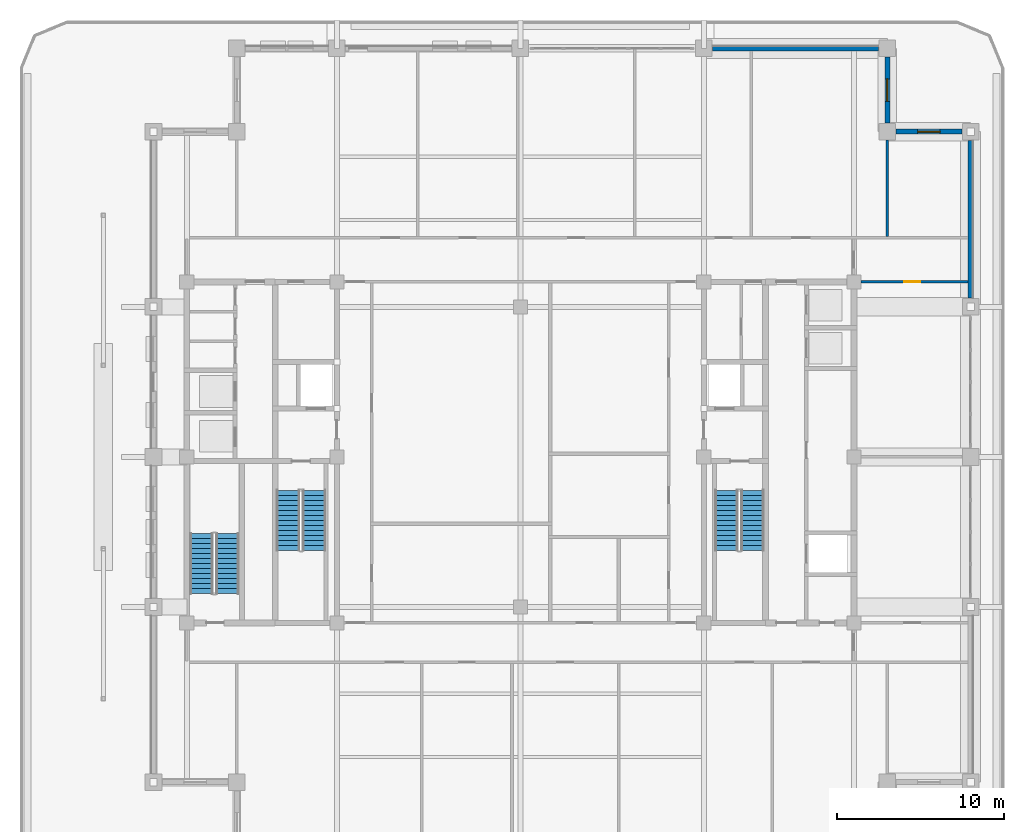
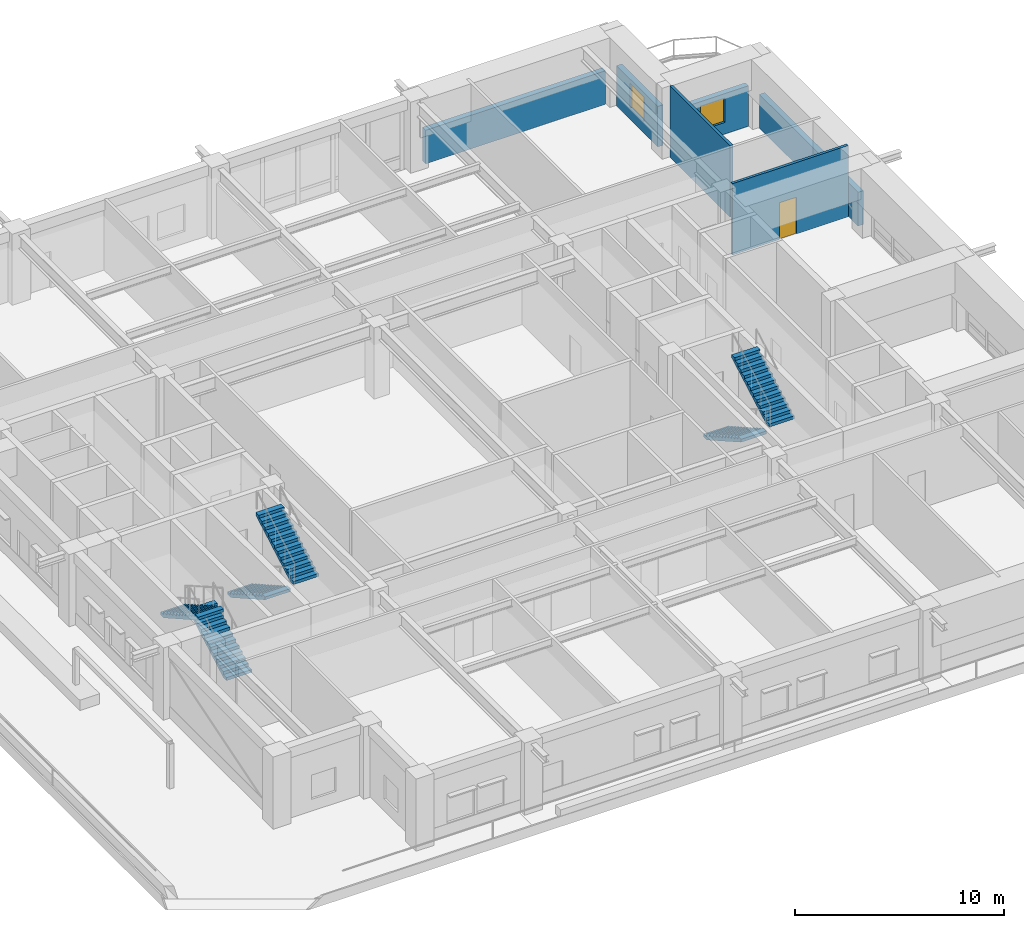
# One storey, part 12 of 20: 6 stair flights, 6 walls, 2 windows, 1 door, 3 openings, 3 elements without a shape of their own.
"""IFC4 building model written with IfcOpenShell, lengths in metres."""

from ifc_helpers import new_model, si_unit, direction, frame, frame_2d, origin, place, context, subcontext, project, spatial, polyline, rectangle, outline, extrude, material, layer, layer_set, type_object, element, fill, aggregate, save


model = new_model("IFC4")

# Units and contexts
model_context = context("Model", 3, precision=1e-05, world=origin(), true_north=direction((0.0, 1.0)))
body_context = subcontext(model_context, "Body", "Model", "MODEL_VIEW")
ifc_project = project(units=[si_unit("LENGTHUNIT", "METRE"), si_unit("AREAUNIT", "SQUARE_METRE"), si_unit("VOLUMEUNIT", "CUBIC_METRE"), si_unit("PLANEANGLEUNIT", "RADIAN"), si_unit("MASSUNIT", "GRAM", prefix="KILO")], contexts=[model_context])

# Site, building, storey
site_placement = place(None, origin())
site = spatial("IfcSite", under=ifc_project, at=site_placement, CompositionType="ELEMENT")
building_placement = place(site_placement, origin())
building = spatial("IfcBuilding", under=site, at=building_placement, Name="Zulmaris Gate Convention Tower", CompositionType="ELEMENT")
storey_placement = place(building_placement, frame((0.0, 0.0, 158.23974609375)))
storey = spatial("IfcBuildingStorey", under=building, at=storey_placement, Name="L40", CompositionType="ELEMENT", Elevation=158.23974609375)

# Wall, opening, door
ifc_material_1 = material(Name="Gypsum Metal Stud Partition")
ifc_layer_1 = layer(ifc_material_1, 0.14990234375, Name="Gypsum Metal Stud Partition")
ifc_layer_set_1 = layer_set([ifc_layer_1], Name="Gypsum Metal Stud Partition")
wall_type_1 = type_object("IfcWallType", Name="PART-150", PredefinedType="PARTITIONING", material=ifc_layer_set_1)
wall_1_placement = place(storey_placement, frame((20.430908203125, 10.5, 0.0), z_axis=(0.0, 0.0, 1.0), x_axis=(1.0, 0.0, 0.0)))
wall_1 = element("IfcWall", 1, at=wall_1_placement, inside=storey, type_object=wall_type_1, Name="WL-L40-031", PredefinedType="PARTITIONING", context=body_context, shape_type="SweptSolid", body=[
    extrude(rectangle(XDim=6.404052734375, YDim=0.14990234375, at=frame_2d((3.2021484375, 0.0))), origin(), (0.0, 0.0, 1.0), 4.170166015625),
])
opening_1_placement = place(wall_1_placement, frame((2.593994140625, 0.0, 0.0)))
opening_1 = element("IfcOpeningElement", 2, at=opening_1_placement, cuts=wall_1, Name="Opening D-11", PredefinedType="OPENING", context=body_context, shape_type="SweptSolid", body=[
    extrude(rectangle(XDim=0.949951171875, YDim=2.14990234375, at=frame_2d((0.47509765625, 1.074951171875))), frame((0.0, 0.0849609375, 0.0), z_axis=(0.0, -1.0, 0.0), x_axis=(1.0, 0.0, 0.0)), (0.0, 0.0, 1.0), 0.169921875),
])
ifc_material_2 = material(Name="Fire-Rated Timber", Category="wood")
door_type = type_object("IfcDoorType", Name="DR-950-FD", OperationType="NOTDEFINED", PredefinedType="DOOR", material=ifc_material_2)
door_placement = place(opening_1_placement, origin())
door = element("IfcDoor", 3, at=door_placement, inside=storey, type_object=door_type, Name="L40 NE Partner Door 46", OperationType="SINGLE_SWING_RIGHT", OverallHeight=2.14990234375, OverallWidth=0.949951171875, PredefinedType="DOOR", context=body_context, shape_type="SweptSolid", body=[
    extrude(rectangle(XDim=0.949951171875, YDim=2.14990234375, at=frame_2d((0.47509765625, 1.074951171875))), frame((0.0, 0.02490234375, 0.0), z_axis=(0.0, -1.0, 0.0), x_axis=(1.0, 0.0, 0.0)), (0.0, 0.0, 1.0), 0.050048828125),
])
fill(opening_1, door)

# Wall
wall_2_placement = place(storey_placement, frame((22.0, 13.22802734375, 0.0), z_axis=(0.0, 0.0, 1.0), x_axis=(0.0, 1.0, 0.0)))
element("IfcWall", 4, at=wall_2_placement, inside=storey, type_object=wall_type_1, Name="WL-L40-099", PredefinedType="PARTITIONING", context=body_context, shape_type="SweptSolid", body=[
    extrude(rectangle(XDim=5.765869140625, YDim=0.14990234375, at=frame_2d((2.8828125, 0.0))), origin(), (0.0, 0.0, 1.0), 4.170166015625),
])

# Wall, opening, window
ifc_material_3 = material(Name="Precast concrete C40/50", Category="concrete")
ifc_layer_2 = layer(ifc_material_3, 0.300048828125, Name="Precast concrete C40/50")
ifc_layer_set_2 = layer_set([ifc_layer_2], Name="Precast concrete C40/50")
wall_type_2 = type_object("IfcWallType", Name="PRECAST-PIER-300", PredefinedType="STANDARD", material=ifc_layer_set_2)
wall_3_placement = place(storey_placement, frame((26.469970703125, 19.5, 0.0), z_axis=(0.0, 0.0, 1.0), x_axis=(-1.0, 0.0, 0.0)))
wall_3 = element("IfcWall", 5, at=wall_3_placement, inside=storey, type_object=wall_type_2, Name="EW-L40-NOTCH-NE1_0", PredefinedType="STANDARD", context=body_context, shape_type="SweptSolid", body=[
    extrude(rectangle(XDim=3.93994140625, YDim=0.300048828125, at=frame_2d((1.969970703125, 0.0))), origin(), (0.0, 0.0, 1.0), 2.362060546875),
])
opening_2_placement = place(wall_3_placement, frame((1.294921875, 0.0, 0.679931640625)))
opening_2 = element("IfcOpeningElement", 6, at=opening_2_placement, cuts=wall_3, Name="Opening W-10", PredefinedType="OPENING", context=body_context, shape_type="SweptSolid", body=[
    extrude(rectangle(XDim=1.35009765625, YDim=1.419921875, at=frame_2d((0.675048828125, 0.7099609375))), frame((0.0, 0.16015625, 0.0), z_axis=(0.0, -1.0, 0.0), x_axis=(1.0, 0.0, 0.0)), (0.0, 0.0, 1.0), 0.320068359375),
])
ifc_material_4 = material(Name="Low-E Laminated Double Glazing in Aluminium Frame", Category="aluminium")
window_type = type_object("IfcWindowType", Name="WIN-1350x2000", PartitioningType="SINGLE_PANEL", PredefinedType="WINDOW", material=ifc_material_4)
window_1_placement = place(opening_2_placement, origin())
window_1 = element("IfcWindow", 7, at=window_1_placement, inside=storey, type_object=window_type, Name="WN-EW-L40-NOTCH-NE1_0", OverallHeight=1.419921875, OverallWidth=1.35009765625, PartitioningType="SINGLE_PANEL", PredefinedType="WINDOW", context=body_context, shape_type="SweptSolid", body=[
    extrude(rectangle(XDim=1.35009765625, YDim=1.419921875, at=frame_2d((0.675048828125, 0.7099609375))), frame((0.0, 0.030029296875, 0.0), z_axis=(0.0, -1.0, 0.0), x_axis=(1.0, 0.0, 0.0)), (0.0, 0.0, 1.0), 0.06005859375),
])
fill(opening_2, window_1)

wall_4_placement = place(storey_placement, frame((22.0, 20.030029296875, 0.0), z_axis=(0.0, 0.0, 1.0), x_axis=(0.0, 1.0, 0.0)))
wall_4 = element("IfcWall", 8, at=wall_4_placement, inside=storey, type_object=wall_type_2, Name="EW-L40-NOTCH-NE2_0", PredefinedType="STANDARD", context=body_context, shape_type="SweptSolid", body=[
    extrude(rectangle(XDim=3.93994140625, YDim=0.300048828125, at=frame_2d((1.969970703125, 0.0))), origin(), (0.0, 0.0, 1.0), 2.362060546875),
])
opening_3_placement = place(wall_4_placement, frame((1.294921875, 0.0, 0.679931640625)))
opening_3 = element("IfcOpeningElement", 9, at=opening_3_placement, cuts=wall_4, Name="Opening W-10", PredefinedType="OPENING", context=body_context, shape_type="SweptSolid", body=[
    extrude(rectangle(XDim=1.35009765625, YDim=1.419921875, at=frame_2d((0.675048828125, 0.7099609375))), frame((0.0, 0.16015625, 0.0), z_axis=(0.0, -1.0, 0.0), x_axis=(1.0, 0.0, 0.0)), (0.0, 0.0, 1.0), 0.320068359375),
])
window_2_placement = place(opening_3_placement, origin())
window_2 = element("IfcWindow", 10, at=window_2_placement, inside=storey, type_object=window_type, Name="WN-EW-L40-NOTCH-NE2_0", OverallHeight=1.419921875, OverallWidth=1.35009765625, PartitioningType="SINGLE_PANEL", PredefinedType="WINDOW", context=body_context, shape_type="SweptSolid", body=[
    extrude(rectangle(XDim=1.35009765625, YDim=1.419921875, at=frame_2d((0.675048828125, 0.7099609375))), frame((0.0, 0.030029296875, 0.0), z_axis=(0.0, -1.0, 0.0), x_axis=(1.0, 0.0, 0.0)), (0.0, 0.0, 1.0), 0.06005859375),
])
fill(opening_3, window_2)

# Walls
wall_5_placement = place(storey_placement, frame((21.469970703125, 24.5, 0.0), z_axis=(0.0, 0.0, 1.0), x_axis=(-1.0, 0.0, 0.0)))
element("IfcWall", 11, at=wall_5_placement, inside=storey, type_object=wall_type_2, Name="EW-L40-N-3_0", PredefinedType="STANDARD", context=body_context, shape_type="SweptSolid", body=[
    extrude(rectangle(XDim=9.93994140625, YDim=0.300048828125, at=frame_2d((4.969970703125, 0.0))), origin(), (0.0, 0.0, 1.0), 1.962158203125),
])
wall_6_placement = place(storey_placement, frame((27.0, 9.530029296875, 0.0), z_axis=(0.0, 0.0, 1.0), x_axis=(0.0, 1.0, 0.0)))
element("IfcWall", 12, at=wall_6_placement, inside=storey, type_object=wall_type_2, Name="EW-L40-E-3_0", PredefinedType="STANDARD", context=body_context, shape_type="SweptSolid", body=[
    extrude(rectangle(XDim=9.43994140625, YDim=0.300048828125, at=frame_2d((4.719970703125, 0.0))), origin(), (0.0, 0.0, 1.0), 1.962158203125),
])

# Stair, stair flights
ifc_material_5 = material(Name="Concrete C45/55", Category="concrete")
stair_type = type_object("IfcStairType", Name="ST-CORE-DOGLEG", PredefinedType="HALF_TURN_STAIR", material=ifc_material_5)
stair_1_placement = place(storey_placement, origin())
stair_1 = element("IfcStair", 13, at=stair_1_placement, inside=storey, type_object=stair_type, Name="L40 Core Exit Stair ST-1", PredefinedType="HALF_TURN_STAIR")
ifc_layer_3 = layer(ifc_material_5, 0.14990234375, Name="Concrete C45/55")
ifc_layer_set_3 = layer_set([ifc_layer_3], Name="Concrete C45/55")
stair_flight_type = type_object("IfcStairFlightType", Name="STF-RC150", PredefinedType="STRAIGHT", material=ifc_layer_set_3)
stair_flight_1_placement = place(storey_placement, frame((-13.919921875, -2.0, 0.0), z_axis=(0.0, 0.0, 1.0), x_axis=(0.0, -1.0, 0.0)))
stair_flight_1 = element("IfcStairFlight", 14, at=stair_flight_1_placement, type_object=stair_flight_type, Name="ST-1 flight 1", NumberOfRisers=13, NumberOfTreads=12, PredefinedType="STRAIGHT", RiserHeight=0.170007692, TreadLength=0.3, context=body_context, shape_type="SweptSolid", body=[
    extrude(outline(polyline([(0.0, 0.0), (0.0, 0.169921875), (0.300048828125, 0.169921875), (0.300048828125, 0.340087890625), (0.60009765625, 0.340087890625), (0.60009765625, 0.510009765625), (0.89990234375, 0.510009765625), (0.89990234375, 0.679931640625), (1.199951171875, 0.679931640625), (1.199951171875, 0.85009765625), (1.5, 0.85009765625), (1.5, 1.02001953125), (1.800048828125, 1.02001953125), (1.800048828125, 1.18994140625), (2.10009765625, 1.18994140625), (2.10009765625, 1.360107421875), (2.39990234375, 1.360107421875), (2.39990234375, 1.530029296875), (2.699951171875, 1.530029296875), (2.699951171875, 1.7001953125), (3.0, 1.7001953125), (3.0, 1.8701171875), (3.300048828125, 1.8701171875), (3.300048828125, 2.0400390625), (3.60009765625, 2.0400390625), (3.60009765625, 2.210205078125), (3.60009765625, 1.86767578125), (0.303955078125, 0.0), (0.0, 0.0)])), frame((0.0, 0.699951171875, 0.0), z_axis=(0.0, -1.0, 0.0), x_axis=(1.0, 0.0, 0.0)), (0.0, 0.0, 1.0), 1.39990234375),
])
stair_flight_2_placement = place(storey_placement, frame((-12.360107421875, -5.60009765625, 2.2099609375), z_axis=(0.0, 0.0, 1.0), x_axis=(0.0, 1.0, 0.0)))
stair_flight_2 = element("IfcStairFlight", 15, at=stair_flight_2_placement, type_object=stair_flight_type, Name="ST-1 flight 2", NumberOfRisers=13, NumberOfTreads=12, PredefinedType="STRAIGHT", RiserHeight=0.170007692, TreadLength=0.3, context=body_context, shape_type="SweptSolid", body=[
    extrude(outline(polyline([(0.0, 0.0), (0.0, 0.169921875), (0.300048828125, 0.169921875), (0.300048828125, 0.340087890625), (0.60009765625, 0.340087890625), (0.60009765625, 0.510009765625), (0.89990234375, 0.510009765625), (0.89990234375, 0.679931640625), (1.199951171875, 0.679931640625), (1.199951171875, 0.85009765625), (1.5, 0.85009765625), (1.5, 1.02001953125), (1.800048828125, 1.02001953125), (1.800048828125, 1.18994140625), (2.10009765625, 1.18994140625), (2.10009765625, 1.360107421875), (2.39990234375, 1.360107421875), (2.39990234375, 1.530029296875), (2.699951171875, 1.530029296875), (2.699951171875, 1.7001953125), (3.0, 1.7001953125), (3.0, 1.8701171875), (3.300048828125, 1.8701171875), (3.300048828125, 2.0400390625), (3.60009765625, 2.0400390625), (3.60009765625, 2.210205078125), (3.60009765625, 1.86767578125), (0.303955078125, 0.0), (0.0, 0.0)])), frame((0.0, 0.699951171875, 0.0), z_axis=(0.0, -1.0, 0.0), x_axis=(1.0, 0.0, 0.0)), (0.0, 0.0, 1.0), 1.39990234375),
])
aggregate(stair_1, [stair_flight_1, stair_flight_2])

stair_2_placement = place(storey_placement, origin())
stair_2 = element("IfcStair", 16, at=stair_2_placement, inside=storey, type_object=stair_type, Name="L40 Core Exit Stair ST-2", PredefinedType="HALF_TURN_STAIR")
stair_flight_3_placement = place(storey_placement, frame((12.360107421875, -2.0, 0.0), z_axis=(0.0, 0.0, 1.0), x_axis=(0.0, -1.0, 0.0)))
stair_flight_3 = element("IfcStairFlight", 17, at=stair_flight_3_placement, type_object=stair_flight_type, Name="ST-2 flight 1", NumberOfRisers=13, NumberOfTreads=12, PredefinedType="STRAIGHT", RiserHeight=0.170007692, TreadLength=0.3, context=body_context, shape_type="SweptSolid", body=[
    extrude(outline(polyline([(0.0, 0.0), (0.0, 0.169921875), (0.300048828125, 0.169921875), (0.300048828125, 0.340087890625), (0.60009765625, 0.340087890625), (0.60009765625, 0.510009765625), (0.89990234375, 0.510009765625), (0.89990234375, 0.679931640625), (1.199951171875, 0.679931640625), (1.199951171875, 0.85009765625), (1.5, 0.85009765625), (1.5, 1.02001953125), (1.800048828125, 1.02001953125), (1.800048828125, 1.18994140625), (2.10009765625, 1.18994140625), (2.10009765625, 1.360107421875), (2.39990234375, 1.360107421875), (2.39990234375, 1.530029296875), (2.699951171875, 1.530029296875), (2.699951171875, 1.7001953125), (3.0, 1.7001953125), (3.0, 1.8701171875), (3.300048828125, 1.8701171875), (3.300048828125, 2.0400390625), (3.60009765625, 2.0400390625), (3.60009765625, 2.210205078125), (3.60009765625, 1.86767578125), (0.303955078125, 0.0), (0.0, 0.0)])), frame((0.0, 0.699951171875, 0.0), z_axis=(0.0, -1.0, 0.0), x_axis=(1.0, 0.0, 0.0)), (0.0, 0.0, 1.0), 1.39990234375),
])
stair_flight_4_placement = place(storey_placement, frame((13.919921875, -5.60009765625, 2.2099609375), z_axis=(0.0, 0.0, 1.0), x_axis=(0.0, 1.0, 0.0)))
stair_flight_4 = element("IfcStairFlight", 18, at=stair_flight_4_placement, type_object=stair_flight_type, Name="ST-2 flight 2", NumberOfRisers=13, NumberOfTreads=12, PredefinedType="STRAIGHT", RiserHeight=0.170007692, TreadLength=0.3, context=body_context, shape_type="SweptSolid", body=[
    extrude(outline(polyline([(0.0, 0.0), (0.0, 0.169921875), (0.300048828125, 0.169921875), (0.300048828125, 0.340087890625), (0.60009765625, 0.340087890625), (0.60009765625, 0.510009765625), (0.89990234375, 0.510009765625), (0.89990234375, 0.679931640625), (1.199951171875, 0.679931640625), (1.199951171875, 0.85009765625), (1.5, 0.85009765625), (1.5, 1.02001953125), (1.800048828125, 1.02001953125), (1.800048828125, 1.18994140625), (2.10009765625, 1.18994140625), (2.10009765625, 1.360107421875), (2.39990234375, 1.360107421875), (2.39990234375, 1.530029296875), (2.699951171875, 1.530029296875), (2.699951171875, 1.7001953125), (3.0, 1.7001953125), (3.0, 1.8701171875), (3.300048828125, 1.8701171875), (3.300048828125, 2.0400390625), (3.60009765625, 2.0400390625), (3.60009765625, 2.210205078125), (3.60009765625, 1.86767578125), (0.303955078125, 0.0), (0.0, 0.0)])), frame((0.0, 0.699951171875, 0.0), z_axis=(0.0, -1.0, 0.0), x_axis=(1.0, 0.0, 0.0)), (0.0, 0.0, 1.0), 1.39990234375),
])
aggregate(stair_2, [stair_flight_3, stair_flight_4])

stair_3_placement = place(storey_placement, origin())
stair_3 = element("IfcStair", 19, at=stair_3_placement, inside=storey, type_object=stair_type, Name="L40 Core Exit Stair ST-3", PredefinedType="HALF_TURN_STAIR")
stair_flight_5_placement = place(storey_placement, frame((-17.56005859375, -8.199951171875, 0.0), z_axis=(0.0, 0.0, 1.0), x_axis=(0.0, 1.0, 0.0)))
stair_flight_5 = element("IfcStairFlight", 20, at=stair_flight_5_placement, type_object=stair_flight_type, Name="ST-3 flight 1", NumberOfRisers=13, NumberOfTreads=12, PredefinedType="STRAIGHT", RiserHeight=0.170007692, TreadLength=0.3, context=body_context, shape_type="SweptSolid", body=[
    extrude(outline(polyline([(0.0, 0.0), (0.0, 0.169921875), (0.300048828125, 0.169921875), (0.300048828125, 0.340087890625), (0.60009765625, 0.340087890625), (0.60009765625, 0.510009765625), (0.89990234375, 0.510009765625), (0.89990234375, 0.679931640625), (1.199951171875, 0.679931640625), (1.199951171875, 0.85009765625), (1.5, 0.85009765625), (1.5, 1.02001953125), (1.800048828125, 1.02001953125), (1.800048828125, 1.18994140625), (2.10009765625, 1.18994140625), (2.10009765625, 1.360107421875), (2.39990234375, 1.360107421875), (2.39990234375, 1.530029296875), (2.699951171875, 1.530029296875), (2.699951171875, 1.7001953125), (3.0, 1.7001953125), (3.0, 1.8701171875), (3.300048828125, 1.8701171875), (3.300048828125, 2.0400390625), (3.60009765625, 2.0400390625), (3.60009765625, 2.210205078125), (3.60009765625, 1.86767578125), (0.303955078125, 0.0), (0.0, 0.0)])), frame((0.0, 0.699951171875, 0.0), z_axis=(0.0, -1.0, 0.0), x_axis=(1.0, 0.0, 0.0)), (0.0, 0.0, 1.0), 1.39990234375),
])
stair_flight_6_placement = place(storey_placement, frame((-19.1201171875, -4.60009765625, 2.2099609375), z_axis=(0.0, 0.0, 1.0), x_axis=(0.0, -1.0, 0.0)))
stair_flight_6 = element("IfcStairFlight", 21, at=stair_flight_6_placement, type_object=stair_flight_type, Name="ST-3 flight 2", NumberOfRisers=13, NumberOfTreads=12, PredefinedType="STRAIGHT", RiserHeight=0.170007692, TreadLength=0.3, context=body_context, shape_type="SweptSolid", body=[
    extrude(outline(polyline([(0.0, 0.0), (0.0, 0.169921875), (0.300048828125, 0.169921875), (0.300048828125, 0.340087890625), (0.60009765625, 0.340087890625), (0.60009765625, 0.510009765625), (0.89990234375, 0.510009765625), (0.89990234375, 0.679931640625), (1.199951171875, 0.679931640625), (1.199951171875, 0.85009765625), (1.5, 0.85009765625), (1.5, 1.02001953125), (1.800048828125, 1.02001953125), (1.800048828125, 1.18994140625), (2.10009765625, 1.18994140625), (2.10009765625, 1.360107421875), (2.39990234375, 1.360107421875), (2.39990234375, 1.530029296875), (2.699951171875, 1.530029296875), (2.699951171875, 1.7001953125), (3.0, 1.7001953125), (3.0, 1.8701171875), (3.300048828125, 1.8701171875), (3.300048828125, 2.0400390625), (3.60009765625, 2.0400390625), (3.60009765625, 2.210205078125), (3.60009765625, 1.86767578125), (0.303955078125, 0.0), (0.0, 0.0)])), frame((0.0, 0.699951171875, 0.0), z_axis=(0.0, -1.0, 0.0), x_axis=(1.0, 0.0, 0.0)), (0.0, 0.0, 1.0), 1.39990234375),
])
aggregate(stair_3, [stair_flight_5, stair_flight_6])

save(model, "model.ifc")
